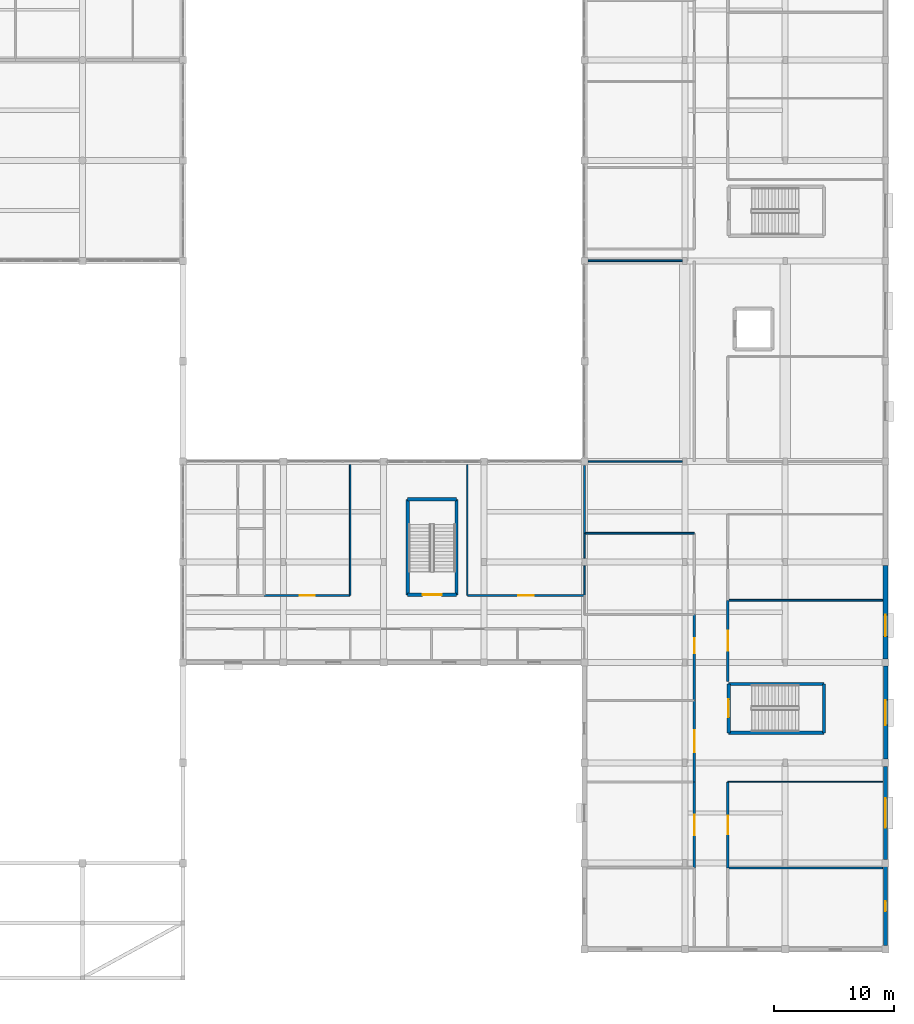
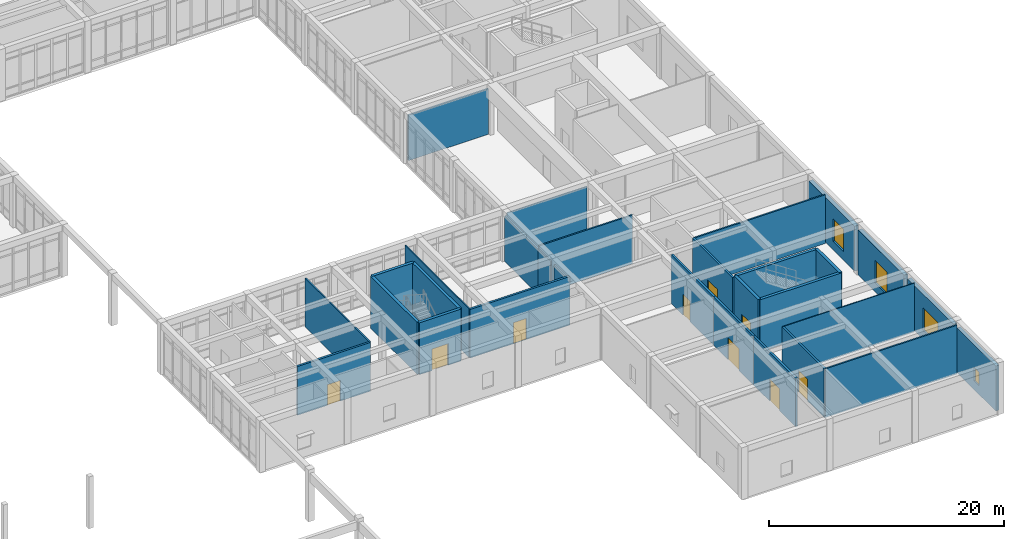
# One storey, part 65 of 89: 30 walls, 9 doors, 4 windows, 13 openings.
"""IFC4 building model written with IfcOpenShell, lengths in metres."""

import ifcopenshell
import ifcopenshell.guid

model = None  # the IFC model being written
_history = None  # IfcOwnerHistory: only IFC2X3 demands one
_inside = {}  # id of a spatial element -> (the spatial element, [elements in it])
_under = {}  # id of a project, library or spatial element -> (it, [spatial elements below it])
_declared = {}  # id of a project -> (the project, [libraries it declares])
_typed = {}  # id of a type object -> (the type object, [elements of that type])
_made_of = {}  # id of a material, layer set ... -> (it, [elements and type objects made of it])


def new_model(schema):
    """Start an empty IFC model of exactly this schema.

    Asked for "IFC4X3", IfcOpenShell would pick the latest addendum, in which some entities
    have other attributes; the version numbers below select the first issue.
    IFC2X3 requires an IfcOwnerHistory on every rooted entity: one is made here for all.
    """
    global model, _history
    if schema == "IFC4X3":
        model = ifcopenshell.file(schema_version=(4, 3, 0, 0))
    else:
        model = ifcopenshell.file(schema=schema)
    _inside.clear()
    _under.clear()
    _declared.clear()
    _typed.clear()
    _made_of.clear()
    _history = None
    if model.schema == "IFC2X3":
        org = make("IfcOrganization", Name="unknown")
        user = make(
            "IfcPersonAndOrganization",
            ThePerson=make("IfcPerson", FamilyName="unknown"),
            TheOrganization=org,
        )
        app = make(
            "IfcApplication",
            ApplicationDeveloper=org,
            Version="unknown",
            ApplicationFullName="unknown",
            ApplicationIdentifier="unknown",
        )
        _history = make(
            "IfcOwnerHistory",
            OwningUser=user,
            OwningApplication=app,
            ChangeAction="ADDED",
            CreationDate=0,
        )
    return model


def make(cls, **values):
    """One entity of the class cls with the attributes given. An attribute that is None is left unset."""
    return model.create_entity(
        cls, **{name: value for name, value in values.items() if value is not None}
    )


def rooted(cls, **values):
    """An entity with a GlobalId (a new one), such as an element, a storey or a relation."""
    return make(cls, GlobalId=ifcopenshell.guid.new(), OwnerHistory=_history, **values)


def si_unit(unit_type, name, prefix=None):
    """IfcSIUnit, for example si_unit("LENGTHUNIT", "METRE", prefix="MILLI")."""
    return make("IfcSIUnit", UnitType=unit_type, Prefix=prefix, Name=name)


def assignment(units):
    """IfcUnitAssignment: the units of a project."""
    return None if units is None else make("IfcUnitAssignment", Units=units)


def point(xyz):
    """IfcCartesianPoint."""
    return None if xyz is None else make("IfcCartesianPoint", Coordinates=xyz)


def direction(xyz):
    """IfcDirection."""
    return None if xyz is None else make("IfcDirection", DirectionRatios=xyz)


def frame(location, z_axis=None, x_axis=None):
    """IfcAxis2Placement3D, a coordinate frame: its origin and axes. An axis left out is left unset."""
    return make(
        "IfcAxis2Placement3D",
        Location=point(location),
        Axis=direction(z_axis),
        RefDirection=direction(x_axis),
    )


def frame_2d(location, x_axis=None):
    """IfcAxis2Placement2D, a coordinate frame in the plane: its origin and x axis."""
    return make(
        "IfcAxis2Placement2D", Location=point(location), RefDirection=direction(x_axis)
    )


def origin():
    """The frame at (0, 0, 0) with its axes left unset."""
    return frame((0.0, 0.0, 0.0))


def place(relative_to, where):
    """IfcLocalPlacement: puts the frame where relative to a parent placement (None: the world)."""
    return make(
        "IfcLocalPlacement", PlacementRelTo=relative_to, RelativePlacement=where
    )


def context(
    kind, dimensions, precision=None, world=None, true_north=None, identifier=None
):
    """IfcGeometricRepresentationContext, for example the 3D "Model" context."""
    return make(
        "IfcGeometricRepresentationContext",
        ContextIdentifier=identifier,
        ContextType=kind,
        CoordinateSpaceDimension=dimensions,
        Precision=precision,
        WorldCoordinateSystem=world,
        TrueNorth=true_north,
    )


def subcontext(parent, identifier, kind, view, scale=None):
    """IfcGeometricRepresentationSubContext, for example "Body" below "Model"."""
    return make(
        "IfcGeometricRepresentationSubContext",
        ContextIdentifier=identifier,
        ContextType=kind,
        ParentContext=parent,
        TargetScale=scale,
        TargetView=view,
    )


def project(units=None, contexts=None):
    """IfcProject with its units and contexts."""
    return rooted(
        "IfcProject",
        Name="project",
        RepresentationContexts=contexts,
        UnitsInContext=assignment(units),
    )


def spatial(cls, under=None, at=None, **own):
    """A site, building, storey or space (cls), placed at a placement, below another one or the project."""
    s = rooted(cls, ObjectPlacement=at, **own)
    if under is not None:
        _under.setdefault(under.id(), (under, []))[1].append(s)
    return s


def profile(cls, at=None, kind="AREA", **sizes):
    """A parametric profile (cls). Its sizes go by their IFC names, for example OverallWidth=200.0."""
    return make(cls, ProfileType=kind, Position=at, **sizes)


def rectangle(**sizes):
    """IfcRectangleProfileDef."""
    return profile("IfcRectangleProfileDef", **sizes)


def extrude(swept, where, along, depth):
    """IfcExtrudedAreaSolid: the profile swept, set in the frame where, extruded along a direction by depth."""
    return make(
        "IfcExtrudedAreaSolid",
        SweptArea=swept,
        Position=where,
        ExtrudedDirection=direction(along),
        Depth=depth,
    )


def shape(context_of_items, identifier, shape_type, items):
    """IfcShapeRepresentation: the items that make up one representation, for example the "Body"."""
    return make(
        "IfcShapeRepresentation",
        ContextOfItems=context_of_items,
        RepresentationIdentifier=identifier,
        RepresentationType=shape_type,
        Items=items,
    )


def material(Name=None, Category=None):
    """IfcMaterial."""
    return make("IfcMaterial", Name=Name, Category=Category)


def layer(
    of_material, thickness, ventilated=None, Name=None, Category=None, Priority=None
):
    """IfcMaterialLayer: one layer of a wall or slab, of a material (None: an air gap)."""
    return make(
        "IfcMaterialLayer",
        Material=of_material,
        LayerThickness=thickness,
        IsVentilated=ventilated,
        Name=Name,
        Category=Category,
        Priority=Priority,
    )


def layer_set(layers, Name=None):
    """IfcMaterialLayerSet."""
    return make("IfcMaterialLayerSet", MaterialLayers=layers, LayerSetName=Name)


def made_of(thing, what):
    """Note that an element or type object is made of a material, layer set ...; save() writes the relation."""
    if what is not None:
        _made_of.setdefault(what.id(), (what, []))[1].append(thing)
    return thing


def type_object(cls, material=None, **own):
    """A type object (cls), such as IfcWallType, which elements share."""
    return made_of(rooted(cls, **own), material)


def element(
    cls,
    number,
    at=None,
    inside=None,
    cuts=None,
    type_object=None,
    material=None,
    context=None,
    identifier="Body",
    shape_type=None,
    held_by="IfcProductDefinitionShape",
    body=None,
    shapes=None,
    **own,
):
    """One element of the class cls, such as IfcWall. Its Tag is "e" and its number.

    at: its placement. inside: the storey or other place that contains it. cuts: it is an
    opening in that element (IfcRelVoidsElement). A single representation is given by context,
    identifier, shape_type and body (its items); several are given by shapes. held_by: the class
    of the entity that holds the representations. save() writes the other relations.
    """
    e = rooted(cls, Tag="e%d" % number, ObjectPlacement=at, **own)
    if body is not None:
        shapes = [shape(context, identifier, shape_type, body)]
    if shapes is not None:
        e.Representation = make(held_by, Representations=shapes)
    if inside is not None:
        _inside.setdefault(inside.id(), (inside, []))[1].append(e)
    if cuts is not None:
        rooted(
            "IfcRelVoidsElement", RelatingBuildingElement=cuts, RelatedOpeningElement=e
        )
    if type_object is not None:
        _typed.setdefault(type_object.id(), (type_object, []))[1].append(e)
    return made_of(e, material)


def fill(opening, filler):
    """IfcRelFillsElement: the door or window that sits in an opening."""
    return rooted(
        "IfcRelFillsElement",
        RelatingOpeningElement=opening,
        RelatedBuildingElement=filler,
    )


def aggregate(whole, parts):
    """IfcRelAggregates: a whole, such as a stair, and the parts it consists of."""
    return rooted("IfcRelAggregates", RelatingObject=whole, RelatedObjects=parts)


def save(model, path):
    """Write the relations noted so far, then the file.

    IfcRelAggregates (storeys below a building ...), IfcRelContainedInSpatialStructure (elements
    in a storey), IfcRelDefinesByType, IfcRelAssociatesMaterial and IfcRelDeclares: one each for
    every whole, place, type object, material and project.
    """
    for whole, parts in _under.values():
        aggregate(whole, parts)
    for where, things in _inside.values():
        rooted(
            "IfcRelContainedInSpatialStructure",
            RelatedElements=things,
            RelatingStructure=where,
        )
    for kind, things in _typed.values():
        rooted("IfcRelDefinesByType", RelatedObjects=things, RelatingType=kind)
    for what, things in _made_of.values():
        rooted("IfcRelAssociatesMaterial", RelatedObjects=things, RelatingMaterial=what)
    for by, libraries in _declared.values():
        rooted("IfcRelDeclares", RelatingContext=by, RelatedDefinitions=libraries)
    model.write(path)


model = new_model("IFC4")

# Units and contexts
model_context = context("Model", 3, precision=1e-05, world=origin(), true_north=direction((0.0, 1.0)))
body_context = subcontext(model_context, "Body", "Model", "MODEL_VIEW")
ifc_project = project(units=[si_unit("LENGTHUNIT", "METRE"), si_unit("AREAUNIT", "SQUARE_METRE"), si_unit("VOLUMEUNIT", "CUBIC_METRE"), si_unit("PLANEANGLEUNIT", "RADIAN"), si_unit("MASSUNIT", "GRAM", prefix="KILO")], contexts=[model_context])

# Site, building, storey
site_placement = place(None, origin())
site = spatial("IfcSite", under=ifc_project, at=site_placement, CompositionType="ELEMENT")
building_placement = place(site_placement, origin())
building = spatial("IfcBuilding", under=site, at=building_placement, Name="Varncliffe General Hospital", CompositionType="ELEMENT")
storey_placement = place(building_placement, frame((0.0, 0.0, 10.800048828125)))
storey = spatial("IfcBuildingStorey", under=building, at=storey_placement, Name="L02", CompositionType="ELEMENT", Elevation=10.800048828125)

# Wall, opening, window
ifc_material_1 = material(Name="Precast concrete C40/50 with insulated cream lime-cement stucco", Category="concrete")
ifc_layer_1 = layer(ifc_material_1, 0.3798828125)
ifc_layer_set_1 = layer_set([ifc_layer_1], Name="Precast concrete C40/50 with insulated cream lime-cement stucco")
wall_type_1 = type_object("IfcWallType", Name="Exterior Insulated Stucco Wall EW26 (380mm)", PredefinedType="SOLIDWALL", material=ifc_layer_set_1)
wall_1_placement = place(storey_placement, frame((176.39990234375, 23.701904296875, 0.0), z_axis=(0.0, 0.0, 1.0), x_axis=(0.0, -1.0, 0.0)))
wall_1 = element("IfcWall", 1, at=wall_1_placement, inside=storey, type_object=wall_type_1, Name="L02 Exterior Stucco Wall EW26-208", PredefinedType="SOLIDWALL", context=body_context, shape_type="SweptSolid", body=[
    extrude(rectangle(XDim=7.803955078125, YDim=0.3798828125, at=frame_2d((3.90185546875, 0.0))), origin(), (0.0, 0.0, 1.0), 4.679931640625),
])
opening_1_placement = place(wall_1_placement, frame((2.85205078125, 0.0, 0.89990234375)))
opening_1 = element("IfcOpeningElement", 2, at=opening_1_placement, cuts=wall_1, Name="Opening WN50", PredefinedType="OPENING", context=body_context, shape_type="SweptSolid", body=[
    extrude(rectangle(XDim=2.10009765625, YDim=2.35009765625, at=frame_2d((1.050048828125, 1.175048828125))), frame((0.0, 0.199951171875, 0.0), z_axis=(0.0, -1.0, 0.0), x_axis=(1.0, 0.0, 0.0)), (0.0, 0.0, 1.0), 0.39990234375),
])
ifc_material_2 = material(Name="Triple low-E argon insulated vision glazing", Category="glass")
window_type_1 = type_object("IfcWindowType", Name="Triple-Glazed Hospital Window WN50 (2100x2350)", PartitioningType="DOUBLE_PANEL_VERTICAL", PredefinedType="WINDOW", material=ifc_material_2)
window_1_placement = place(opening_1_placement, origin())
window_1 = element("IfcWindow", 3, at=window_1_placement, inside=storey, type_object=window_type_1, Name="L02 Hospital Window WN50-131", OverallHeight=2.35009765625, OverallWidth=2.10009765625, PartitioningType="DOUBLE_PANEL_VERTICAL", PredefinedType="WINDOW", context=body_context, shape_type="SweptSolid", body=[
    extrude(rectangle(XDim=2.10009765625, YDim=2.35009765625, at=frame_2d((1.050048828125, 1.175048828125))), frame((0.0, 0.030029296875, 0.0), z_axis=(0.0, -1.0, 0.0), x_axis=(1.0, 0.0, 0.0)), (0.0, 0.0, 1.0), 0.06005859375),
])
fill(opening_1, window_1)

ifc_layer_2 = layer(ifc_material_1, 0.330078125)
ifc_layer_set_2 = layer_set([ifc_layer_2], Name="Precast concrete C40/50 with insulated cream lime-cement stucco")
wall_type_2 = type_object("IfcWallType", Name="Exterior Insulated Stucco Wall EW33 (330mm)", PredefinedType="SOLIDWALL", material=ifc_layer_set_2)
wall_2_placement = place(storey_placement, frame((176.39990234375, 6.902099609375, 0.0), z_axis=(0.0, 0.0, 1.0), x_axis=(0.0, -1.0, 0.0)))
wall_2 = element("IfcWall", 4, at=wall_2_placement, inside=storey, type_object=wall_type_2, Name="L02 Exterior Stucco Wall EW33-210", PredefinedType="SOLIDWALL", context=body_context, shape_type="SweptSolid", body=[
    extrude(rectangle(XDim=6.60400390625, YDim=0.330078125, at=frame_2d((3.302001953125, 0.0))), origin(), (0.0, 0.0, 1.0), 4.679931640625),
])
opening_2_placement = place(wall_2_placement, frame((2.876953125, 0.0, 0.89990234375)))
opening_2 = element("IfcOpeningElement", 5, at=opening_2_placement, cuts=wall_2, Name="Opening WN77", PredefinedType="OPENING", context=body_context, shape_type="SweptSolid", body=[
    extrude(rectangle(XDim=0.85009765625, YDim=1.39990234375, at=frame_2d((0.425048828125, 0.699951171875))), frame((0.0, 0.175048828125, 0.0), z_axis=(0.0, -1.0, 0.0), x_axis=(1.0, 0.0, 0.0)), (0.0, 0.0, 1.0), 0.35009765625),
])
window_type_2 = type_object("IfcWindowType", Name="Triple-Glazed Hospital Window WN77 (850x1400)", PartitioningType="SINGLE_PANEL", PredefinedType="WINDOW", material=ifc_material_2)
window_2_placement = place(opening_2_placement, origin())
window_2 = element("IfcWindow", 6, at=window_2_placement, inside=storey, type_object=window_type_2, Name="L02 Hospital Window WN77-133", OverallHeight=1.39990234375, OverallWidth=0.85009765625, PartitioningType="SINGLE_PANEL", PredefinedType="WINDOW", context=body_context, shape_type="SweptSolid", body=[
    extrude(rectangle(XDim=0.85009765625, YDim=1.39990234375, at=frame_2d((0.425048828125, 0.699951171875))), frame((0.0, 0.030029296875, 0.0), z_axis=(0.0, -1.0, 0.0), x_axis=(1.0, 0.0, 0.0)), (0.0, 0.0, 1.0), 0.06005859375),
])
fill(opening_2, window_2)

ifc_layer_3 = layer(ifc_material_1, 0.35009765625)
ifc_layer_set_3 = layer_set([ifc_layer_3], Name="Precast concrete C40/50 with insulated cream lime-cement stucco")
wall_type_3 = type_object("IfcWallType", Name="Exterior Insulated Stucco Wall EW37 (350mm)", PredefinedType="SOLIDWALL", material=ifc_layer_set_3)
wall_3_placement = place(storey_placement, frame((176.39990234375, 15.302001953125, 0.0), z_axis=(0.0, 0.0, 1.0), x_axis=(0.0, -1.0, 0.0)))
wall_3 = element("IfcWall", 7, at=wall_3_placement, inside=storey, type_object=wall_type_3, Name="L02 Exterior Stucco Wall EW37-209", PredefinedType="SOLIDWALL", context=body_context, shape_type="SweptSolid", body=[
    extrude(rectangle(XDim=7.803955078125, YDim=0.35009765625, at=frame_2d((3.90185546875, 0.0))), origin(), (0.0, 0.0, 1.0), 4.679931640625),
])
opening_3_placement = place(wall_3_placement, frame((2.652099609375, 0.0, 0.89990234375)))
opening_3 = element("IfcOpeningElement", 8, at=opening_3_placement, cuts=wall_3, Name="Opening WN80", PredefinedType="OPENING", context=body_context, shape_type="SweptSolid", body=[
    extrude(rectangle(XDim=2.5, YDim=2.35009765625, at=frame_2d((1.25, 1.175048828125))), frame((0.0, 0.18505859375, 0.0), z_axis=(0.0, -1.0, 0.0), x_axis=(1.0, 0.0, 0.0)), (0.0, 0.0, 1.0), 0.3701171875),
])
window_type_3 = type_object("IfcWindowType", Name="Triple-Glazed Hospital Window WN80 (2500x2350)", PartitioningType="DOUBLE_PANEL_VERTICAL", PredefinedType="WINDOW", material=ifc_material_2)
window_3_placement = place(opening_3_placement, origin())
window_3 = element("IfcWindow", 9, at=window_3_placement, inside=storey, type_object=window_type_3, Name="L02 Hospital Window WN80-132", OverallHeight=2.35009765625, OverallWidth=2.5, PartitioningType="DOUBLE_PANEL_VERTICAL", PredefinedType="WINDOW", context=body_context, shape_type="SweptSolid", body=[
    extrude(rectangle(XDim=2.5, YDim=2.35009765625, at=frame_2d((1.25, 1.175048828125))), frame((0.0, 0.030029296875, 0.0), z_axis=(0.0, -1.0, 0.0), x_axis=(1.0, 0.0, 0.0)), (0.0, 0.0, 1.0), 0.06005859375),
])
fill(opening_3, window_3)

ifc_layer_4 = layer(ifc_material_1, 0.39990234375)
ifc_layer_set_4 = layer_set([ifc_layer_4], Name="Precast concrete C40/50 with insulated cream lime-cement stucco")
wall_type_4 = type_object("IfcWallType", Name="Exterior Insulated Stucco Wall EW47 (400mm)", PredefinedType="SOLIDWALL", material=ifc_layer_set_4)
wall_4_placement = place(storey_placement, frame((176.39990234375, 32.10205078125, 0.0), z_axis=(0.0, 0.0, 1.0), x_axis=(0.0, -1.0, 0.0)))
wall_4 = element("IfcWall", 10, at=wall_4_placement, inside=storey, type_object=wall_type_4, Name="L02 Exterior Stucco Wall EW47-207", PredefinedType="SOLIDWALL", context=body_context, shape_type="SweptSolid", body=[
    extrude(rectangle(XDim=7.803955078125, YDim=0.39990234375, at=frame_2d((3.90185546875, 0.0))), origin(), (0.0, 0.0, 1.0), 4.679931640625),
])
opening_4_placement = place(wall_4_placement, frame((4.125, 0.0, 0.89990234375)))
opening_4 = element("IfcOpeningElement", 11, at=opening_4_placement, cuts=wall_4, Name="Opening WN12", PredefinedType="OPENING", context=body_context, shape_type="SweptSolid", body=[
    extrude(rectangle(XDim=1.800048828125, YDim=2.35009765625, at=frame_2d((0.89990234375, 1.175048828125))), frame((0.0, 0.2099609375, 0.0), z_axis=(0.0, -1.0, 0.0), x_axis=(1.0, 0.0, 0.0)), (0.0, 0.0, 1.0), 0.419921875),
])
window_type_4 = type_object("IfcWindowType", Name="Triple-Glazed Hospital Window WN12 (1800x2350)", PartitioningType="DOUBLE_PANEL_VERTICAL", PredefinedType="WINDOW", material=ifc_material_2)
window_4_placement = place(opening_4_placement, origin())
window_4 = element("IfcWindow", 12, at=window_4_placement, inside=storey, type_object=window_type_4, Name="L02 Hospital Window WN12-130", OverallHeight=2.35009765625, OverallWidth=1.800048828125, PartitioningType="DOUBLE_PANEL_VERTICAL", PredefinedType="WINDOW", context=body_context, shape_type="SweptSolid", body=[
    extrude(rectangle(XDim=1.800048828125, YDim=2.35009765625, at=frame_2d((0.89990234375, 1.175048828125))), frame((0.0, 0.030029296875, 0.0), z_axis=(0.0, -1.0, 0.0), x_axis=(1.0, 0.0, 0.0)), (0.0, 0.0, 1.0), 0.06005859375),
])
fill(opening_4, window_4)

# Walls
ifc_material_3 = material(Name="Acoustic clinical gypsum stud partition assembly", Category="gypsum")
ifc_layer_5 = layer(ifc_material_3, 0.1298828125)
ifc_layer_set_5 = layer_set([ifc_layer_5], Name="Acoustic clinical gypsum stud partition assembly")
wall_type_5 = type_object("IfcWallType", Name="Interior Partitioning IW11 (130mm)", PredefinedType="PARTITIONING", material=ifc_layer_set_5)
wall_5_placement = place(storey_placement, frame((131.60009765625, 29.60009765625, 0.0), z_axis=(0.0, 0.0, 1.0), x_axis=(0.0, 1.0, 0.0)))
element("IfcWall", 13, at=wall_5_placement, inside=storey, type_object=wall_type_5, Name="L02 Interior Partition Wall IW11-1248", PredefinedType="PARTITIONING", context=body_context, shape_type="SweptSolid", body=[
    extrude(rectangle(XDim=10.93994140625, YDim=0.1298828125, at=frame_2d((5.469970703125, 0.0))), origin(), (0.0, 0.0, 1.0), 5.070068359375),
])
wall_6_placement = place(storey_placement, frame((151.199951171875, 29.60009765625, 0.0), z_axis=(0.0, 0.0, 1.0), x_axis=(0.0, 1.0, 0.0)))
element("IfcWall", 14, at=wall_6_placement, inside=storey, type_object=wall_type_5, Name="L02 Interior Partition Wall IW11-1273", PredefinedType="PARTITIONING", context=body_context, shape_type="SweptSolid", body=[
    extrude(rectangle(XDim=2.48486328125, YDim=0.1298828125, at=frame_2d((1.242431640625, 0.0))), origin(), (0.0, 0.0, 1.0), 4.73486328125),
])
wall_7_placement = place(storey_placement, frame((151.199951171875, 32.715087890625, 0.0), z_axis=(0.0, 0.0, 1.0), x_axis=(0.0, 1.0, 0.0)))
element("IfcWall", 15, at=wall_7_placement, inside=storey, type_object=wall_type_5, Name="L02 Interior Partition Wall IW11-1274", PredefinedType="PARTITIONING", context=body_context, shape_type="SweptSolid", body=[
    extrude(rectangle(XDim=2.0849609375, YDim=0.1298828125, at=frame_2d((1.04248046875, 0.0))), origin(), (0.0, 0.0, 1.0), 4.73486328125),
])
ifc_layer_6 = layer(ifc_material_3, 0.169921875)
ifc_layer_set_6 = layer_set([ifc_layer_6], Name="Acoustic clinical gypsum stud partition assembly")
wall_type_6 = type_object("IfcWallType", Name="Interior Partitioning IW20 (170mm)", PredefinedType="PARTITIONING", material=ifc_layer_set_6)
wall_8_placement = place(storey_placement, frame((151.199951171875, 34.800048828125, 0.0), z_axis=(0.0, 0.0, 1.0), x_axis=(0.0, 1.0, 0.0)))
element("IfcWall", 16, at=wall_8_placement, inside=storey, type_object=wall_type_6, Name="L02 Interior Partition Wall IW20-1275", PredefinedType="PARTITIONING", context=body_context, shape_type="SweptSolid", body=[
    extrude(rectangle(XDim=5.68505859375, YDim=0.169921875, at=frame_2d((2.842529296875, 0.0))), origin(), (0.0, 0.0, 1.0), 4.73486328125),
])
ifc_layer_7 = layer(ifc_material_3, 0.14990234375)
ifc_layer_set_7 = layer_set([ifc_layer_7], Name="Acoustic clinical gypsum stud partition assembly")
wall_type_7 = type_object("IfcWallType", Name="Interior Partitioning IW35 (150mm)", PredefinedType="PARTITIONING", material=ifc_layer_set_7)
for number, where, z_axis, x_axis, name in (
    (17, (163.199951171875, 6.800048828125, 0.0), (0.0, 0.0, 1.0), (1.0, 0.0, 0.0), "L02 Interior Partition Wall IW35-894"),
    (18, (163.199951171875, 29.199951171875, 0.0), (0.0, 0.0, 1.0), (1.0, 0.0, 0.0), "L02 Interior Partition Wall IW35-904"),
):
    element("IfcWall", number, at=place(storey_placement, frame(where, z_axis=z_axis, x_axis=x_axis)), inside=storey, type_object=wall_type_7, Name=name, PredefinedType="PARTITIONING", context=body_context, shape_type="SweptSolid", body=[
        extrude(rectangle(XDim=12.93994140625, YDim=0.14990234375, at=frame_2d((6.469970703125, 0.0))), origin(), (0.0, 0.0, 1.0), 5.070068359375),
    ])
wall_9_placement = place(storey_placement, frame((151.199951171875, 34.800048828125, 0.0), z_axis=(0.0, 0.0, 1.0), x_axis=(1.0, 0.0, 0.0)))
element("IfcWall", 19, at=wall_9_placement, inside=storey, type_object=wall_type_7, Name="L02 Interior Partition Wall IW35-909", PredefinedType="PARTITIONING", context=body_context, shape_type="SweptSolid", body=[
    extrude(rectangle(XDim=9.199951171875, YDim=0.14990234375, at=frame_2d((4.60009765625, 0.0))), origin(), (0.0, 0.0, 1.0), 5.070068359375),
])
wall_10_placement = place(storey_placement, frame((151.514892578125, 57.60009765625, 0.0), z_axis=(0.0, 0.0, 1.0), x_axis=(1.0, 0.0, 0.0)))
element("IfcWall", 20, at=wall_10_placement, inside=storey, type_object=wall_type_7, Name="L02 Interior Partition Wall IW35-919", PredefinedType="PARTITIONING", context=body_context, shape_type="SweptSolid", body=[
    extrude(rectangle(XDim=7.8701171875, YDim=0.14990234375, at=frame_2d((3.93505859375, 0.0))), origin(), (0.0, 0.0, 1.0), 4.73486328125),
])
ifc_layer_8 = layer(ifc_material_3, 0.090087890625)
ifc_layer_set_8 = layer_set([ifc_layer_8], Name="Acoustic clinical gypsum stud partition assembly")
wall_type_8 = type_object("IfcWallType", Name="Interior Partitioning IW42 (90mm)", PredefinedType="PARTITIONING", material=ifc_layer_set_8)
wall_11_placement = place(storey_placement, frame((163.199951171875, 14.0, 0.0), z_axis=(0.0, 0.0, 1.0), x_axis=(1.0, 0.0, 0.0)))
element("IfcWall", 21, at=wall_11_placement, inside=storey, type_object=wall_type_8, Name="L02 Interior Partition Wall IW42-896", PredefinedType="PARTITIONING", context=body_context, shape_type="SweptSolid", body=[
    extrude(rectangle(XDim=12.93994140625, YDim=0.090087890625, at=frame_2d((6.469970703125, 0.0))), origin(), (0.0, 0.0, 1.0), 5.070068359375),
])
ifc_layer_9 = layer(ifc_material_3, 0.110107421875)
ifc_layer_set_9 = layer_set([ifc_layer_9], Name="Acoustic clinical gypsum stud partition assembly")
wall_type_9 = type_object("IfcWallType", Name="Interior Partitioning IW65 (110mm)", PredefinedType="PARTITIONING", material=ifc_layer_set_9)
wall_12_placement = place(storey_placement, frame((151.514892578125, 40.800048828125, 0.0), z_axis=(0.0, 0.0, 1.0), x_axis=(1.0, 0.0, 0.0)))
element("IfcWall", 22, at=wall_12_placement, inside=storey, type_object=wall_type_9, Name="L02 Interior Partition Wall IW65-912", PredefinedType="PARTITIONING", context=body_context, shape_type="SweptSolid", body=[
    extrude(rectangle(XDim=7.8701171875, YDim=0.110107421875, at=frame_2d((3.93505859375, 0.0))), origin(), (0.0, 0.0, 1.0), 4.73486328125),
])
wall_13_placement = place(storey_placement, frame((141.39990234375, 29.60009765625, 0.0), z_axis=(0.0, 0.0, 1.0), x_axis=(0.0, 1.0, 0.0)))
element("IfcWall", 23, at=wall_13_placement, inside=storey, type_object=wall_type_9, Name="L02 Interior Partition Wall IW65-1257", PredefinedType="PARTITIONING", context=body_context, shape_type="SweptSolid", body=[
    extrude(rectangle(XDim=10.93994140625, YDim=0.110107421875, at=frame_2d((5.469970703125, 0.0))), origin(), (0.0, 0.0, 1.0), 5.070068359375),
])

# Wall, opening, door
ifc_material_4 = material(Name="Fire-rated gypsum and mineral-wool partition assembly", Category="gypsum")
ifc_layer_10 = layer(ifc_material_4, 0.199951171875)
ifc_layer_set_10 = layer_set([ifc_layer_10], Name="Fire-rated gypsum and mineral-wool partition assembly")
wall_type_10 = type_object("IfcWallType", Name="Interior Partitioning PW63 (200mm)", PredefinedType="PARTITIONING", material=ifc_layer_set_10)
wall_14_placement = place(storey_placement, frame((124.39990234375, 29.60009765625, 0.0), z_axis=(0.0, 0.0, 1.0), x_axis=(1.0, 0.0, 0.0)))
wall_14 = element("IfcWall", 24, at=wall_14_placement, inside=storey, type_object=wall_type_10, Name="L02 Interior Partition Wall PW63-907", PredefinedType="PARTITIONING", context=body_context, shape_type="SweptSolid", body=[
    extrude(rectangle(XDim=7.2001953125, YDim=0.199951171875, at=frame_2d((3.60009765625, 0.0))), origin(), (0.0, 0.0, 1.0), 5.070068359375),
])
opening_5_placement = place(wall_14_placement, frame((2.97509765625, 0.0, 0.0)))
opening_5 = element("IfcOpeningElement", 25, at=opening_5_placement, cuts=wall_14, Name="Opening DC44", PredefinedType="OPENING", context=body_context, shape_type="SweptSolid", body=[
    extrude(rectangle(XDim=1.25, YDim=2.14990234375, at=frame_2d((0.625, 1.074951171875))), frame((0.0, 0.10986328125, 0.0), z_axis=(0.0, -1.0, 0.0), x_axis=(1.0, 0.0, 0.0)), (0.0, 0.0, 1.0), 0.219970703125),
])
ifc_material_5 = material(Name="Fire-rated hospital steel-frame vision-panel door", Category="steel")
door_type_1 = type_object("IfcDoorType", Name="Interior Hospital Door DC44 (1250x2150)", OperationType="NOTDEFINED", PredefinedType="DOOR", material=ifc_material_5)
door_1_placement = place(opening_5_placement, origin())
door_1 = element("IfcDoor", 26, at=door_1_placement, inside=storey, type_object=door_type_1, Name="L02 Gastroenterology Endoscopy Clinic 102 Door", OperationType="SINGLE_SWING_LEFT", OverallHeight=2.14990234375, OverallWidth=1.25, PredefinedType="DOOR", context=body_context, shape_type="SweptSolid", body=[
    extrude(rectangle(XDim=1.25, YDim=2.14990234375, at=frame_2d((0.625, 1.074951171875))), frame((0.0, 0.02490234375, 0.0), z_axis=(0.0, -1.0, 0.0), x_axis=(1.0, 0.0, 0.0)), (0.0, 0.0, 1.0), 0.050048828125),
])
fill(opening_5, door_1)

wall_15_placement = place(storey_placement, frame((141.39990234375, 29.60009765625, 0.0), z_axis=(0.0, 0.0, 1.0), x_axis=(1.0, 0.0, 0.0)))
wall_15 = element("IfcWall", 27, at=wall_15_placement, inside=storey, type_object=wall_type_10, Name="L02 Interior Partition Wall PW63-908", PredefinedType="PARTITIONING", context=body_context, shape_type="SweptSolid", body=[
    extrude(rectangle(XDim=9.800048828125, YDim=0.199951171875, at=frame_2d((4.89990234375, 0.0))), origin(), (0.0, 0.0, 1.0), 5.070068359375),
])
opening_6_placement = place(wall_15_placement, frame((4.25, 0.0, 0.0)))
opening_6 = element("IfcOpeningElement", 28, at=opening_6_placement, cuts=wall_15, Name="Opening DC88", PredefinedType="OPENING", context=body_context, shape_type="SweptSolid", body=[
    extrude(rectangle(XDim=1.300048828125, YDim=2.199951171875, at=frame_2d((0.64990234375, 1.10009765625))), frame((0.0, 0.10986328125, 0.0), z_axis=(0.0, -1.0, 0.0), x_axis=(1.0, 0.0, 0.0)), (0.0, 0.0, 1.0), 0.219970703125),
])
door_type_2 = type_object("IfcDoorType", Name="Interior Hospital Door DC88 (1300x2200)", OperationType="NOTDEFINED", PredefinedType="DOOR", material=ifc_material_5)
door_2_placement = place(opening_6_placement, origin())
door_2 = element("IfcDoor", 29, at=door_2_placement, inside=storey, type_object=door_type_2, Name="L02 Gastroenterology Endoscopy Clinic 103 Door", OperationType="SINGLE_SWING_RIGHT", OverallHeight=2.199951171875, OverallWidth=1.300048828125, PredefinedType="DOOR", context=body_context, shape_type="SweptSolid", body=[
    extrude(rectangle(XDim=1.300048828125, YDim=2.199951171875, at=frame_2d((0.64990234375, 1.10009765625))), frame((0.0, 0.02490234375, 0.0), z_axis=(0.0, -1.0, 0.0), x_axis=(1.0, 0.0, 0.0)), (0.0, 0.0, 1.0), 0.050048828125),
])
fill(opening_6, door_2)

wall_16_placement = place(storey_placement, frame((160.39990234375, 6.800048828125, 0.0), z_axis=(0.0, 0.0, 1.0), x_axis=(0.0, 1.0, 0.0)))
wall_16 = element("IfcWall", 30, at=wall_16_placement, inside=storey, type_object=wall_type_10, Name="L02 Interior Partition Wall PW63-1291", PredefinedType="PARTITIONING", context=body_context, shape_type="SweptSolid", body=[
    extrude(rectangle(XDim=7.199951171875, YDim=0.199951171875, at=frame_2d((3.60009765625, 0.0))), origin(), (0.0, 0.0, 1.0), 5.070068359375),
])
opening_7_placement = place(wall_16_placement, frame((2.75, 0.0, 0.0)))
opening_7 = element("IfcOpeningElement", 31, at=opening_7_placement, cuts=wall_16, Name="Opening DC50", PredefinedType="OPENING", context=body_context, shape_type="SweptSolid", body=[
    extrude(rectangle(XDim=1.699951171875, YDim=2.300048828125, at=frame_2d((0.85009765625, 1.14990234375))), frame((0.0, 0.10986328125, 0.0), z_axis=(0.0, -1.0, 0.0), x_axis=(1.0, 0.0, 0.0)), (0.0, 0.0, 1.0), 0.219970703125),
])
door_type_3 = type_object("IfcDoorType", Name="Interior Hospital Door DC50 (1700x2300)", OperationType="NOTDEFINED", PredefinedType="DOOR", material=ifc_material_5)
door_3_placement = place(opening_7_placement, origin())
door_3 = element("IfcDoor", 32, at=door_3_placement, inside=storey, type_object=door_type_3, Name="L02 Gastroenterology Endoscopy Clinic 84 Door", OperationType="SINGLE_SWING_RIGHT", OverallHeight=2.300048828125, OverallWidth=1.699951171875, PredefinedType="DOOR", context=body_context, shape_type="SweptSolid", body=[
    extrude(rectangle(XDim=1.699951171875, YDim=2.300048828125, at=frame_2d((0.85009765625, 1.14990234375))), frame((0.0, 0.02490234375, 0.0), z_axis=(0.0, -1.0, 0.0), x_axis=(1.0, 0.0, 0.0)), (0.0, 0.0, 1.0), 0.050048828125),
])
fill(opening_7, door_3)

wall_17_placement = place(storey_placement, frame((160.39990234375, 14.0, 0.0), z_axis=(0.0, 0.0, 1.0), x_axis=(0.0, 1.0, 0.0)))
wall_17 = element("IfcWall", 33, at=wall_17_placement, inside=storey, type_object=wall_type_10, Name="L02 Interior Partition Wall PW63-1292", PredefinedType="PARTITIONING", context=body_context, shape_type="SweptSolid", body=[
    extrude(rectangle(XDim=6.800048828125, YDim=0.199951171875, at=frame_2d((3.39990234375, 0.0))), origin(), (0.0, 0.0, 1.0), 5.070068359375),
])
opening_8_placement = place(wall_17_placement, frame((2.47509765625, 0.0, 0.0)))
opening_8 = element("IfcOpeningElement", 34, at=opening_8_placement, cuts=wall_17, Name="Opening DC38", PredefinedType="OPENING", context=body_context, shape_type="SweptSolid", body=[
    extrude(rectangle(XDim=1.85009765625, YDim=2.300048828125, at=frame_2d((0.925048828125, 1.14990234375))), frame((0.0, 0.10986328125, 0.0), z_axis=(0.0, -1.0, 0.0), x_axis=(1.0, 0.0, 0.0)), (0.0, 0.0, 1.0), 0.219970703125),
])
door_type_4 = type_object("IfcDoorType", Name="Interior Hospital Door DC38 (1850x2300)", OperationType="NOTDEFINED", PredefinedType="DOOR", material=ifc_material_5)
door_4_placement = place(opening_8_placement, origin())
door_4 = element("IfcDoor", 35, at=door_4_placement, inside=storey, type_object=door_type_4, Name="L02 Day Surgery Preparation and Recovery Bay 85 Door", OperationType="SINGLE_SWING_LEFT", OverallHeight=2.300048828125, OverallWidth=1.85009765625, PredefinedType="DOOR", context=body_context, shape_type="SweptSolid", body=[
    extrude(rectangle(XDim=1.85009765625, YDim=2.300048828125, at=frame_2d((0.925048828125, 1.14990234375))), frame((0.0, 0.02490234375, 0.0), z_axis=(0.0, -1.0, 0.0), x_axis=(1.0, 0.0, 0.0)), (0.0, 0.0, 1.0), 0.050048828125),
])
fill(opening_8, door_4)

wall_18_placement = place(storey_placement, frame((160.39990234375, 20.800048828125, 0.0), z_axis=(0.0, 0.0, 1.0), x_axis=(0.0, 1.0, 0.0)))
wall_18 = element("IfcWall", 36, at=wall_18_placement, inside=storey, type_object=wall_type_10, Name="L02 Interior Partition Wall PW63-1293", PredefinedType="PARTITIONING", context=body_context, shape_type="SweptSolid", body=[
    extrude(rectangle(XDim=7.199951171875, YDim=0.199951171875, at=frame_2d((3.60009765625, 0.0))), origin(), (0.0, 0.0, 1.0), 5.070068359375),
])
opening_9_placement = place(wall_18_placement, frame((3.959716796875, 0.0, 0.0)))
opening_9 = element("IfcOpeningElement", 37, at=opening_9_placement, cuts=wall_18, Name="Opening DC44", PredefinedType="OPENING", context=body_context, shape_type="SweptSolid", body=[
    extrude(rectangle(XDim=1.25, YDim=2.14990234375, at=frame_2d((0.625, 1.074951171875))), frame((0.0, 0.10986328125, 0.0), z_axis=(0.0, -1.0, 0.0), x_axis=(1.0, 0.0, 0.0)), (0.0, 0.0, 1.0), 0.219970703125),
])
door_5_placement = place(opening_9_placement, origin())
door_5 = element("IfcDoor", 38, at=door_5_placement, inside=storey, type_object=door_type_1, Name="L02 Gastroenterology Endoscopy Clinic 86 Door", OperationType="SINGLE_SWING_RIGHT", OverallHeight=2.14990234375, OverallWidth=1.25, PredefinedType="DOOR", context=body_context, shape_type="SweptSolid", body=[
    extrude(rectangle(XDim=1.25, YDim=2.14990234375, at=frame_2d((0.625, 1.074951171875))), frame((0.0, 0.02490234375, 0.0), z_axis=(0.0, -1.0, 0.0), x_axis=(1.0, 0.0, 0.0)), (0.0, 0.0, 1.0), 0.050048828125),
])
fill(opening_9, door_5)

wall_19_placement = place(storey_placement, frame((163.199951171875, 6.800048828125, 0.0), z_axis=(0.0, 0.0, 1.0), x_axis=(0.0, 1.0, 0.0)))
wall_19 = element("IfcWall", 39, at=wall_19_placement, inside=storey, type_object=wall_type_10, Name="L02 Interior Partition Wall PW63-1304", PredefinedType="PARTITIONING", context=body_context, shape_type="SweptSolid", body=[
    extrude(rectangle(XDim=7.199951171875, YDim=0.199951171875, at=frame_2d((3.60009765625, 0.0))), origin(), (0.0, 0.0, 1.0), 5.070068359375),
])
opening_10_placement = place(wall_19_placement, frame((2.824951171875, 0.0, 0.0)))
opening_10 = element("IfcOpeningElement", 40, at=opening_10_placement, cuts=wall_19, Name="Opening DC67", PredefinedType="OPENING", context=body_context, shape_type="SweptSolid", body=[
    extrude(rectangle(XDim=1.550048828125, YDim=2.25, at=frame_2d((0.77490234375, 1.125))), frame((0.0, 0.10986328125, 0.0), z_axis=(0.0, -1.0, 0.0), x_axis=(1.0, 0.0, 0.0)), (0.0, 0.0, 1.0), 0.219970703125),
])
door_type_5 = type_object("IfcDoorType", Name="Interior Hospital Door DC67 (1550x2250)", OperationType="NOTDEFINED", PredefinedType="DOOR", material=ifc_material_5)
door_6_placement = place(opening_10_placement, frame((1.550048828125, 0.0, 0.0), z_axis=(0.0, 0.0, 1.0), x_axis=(-1.0, 0.0, 0.0)))
door_6 = element("IfcDoor", 41, at=door_6_placement, inside=storey, type_object=door_type_5, Name="L02 Gastroenterology Endoscopy Clinic 93 Door", OperationType="SINGLE_SWING_LEFT", OverallHeight=2.25, OverallWidth=1.550048828125, PredefinedType="DOOR", context=body_context, shape_type="SweptSolid", body=[
    extrude(rectangle(XDim=1.550048828125, YDim=2.25, at=frame_2d((0.77490234375, 1.125))), frame((0.0, 0.02490234375, 0.0), z_axis=(0.0, -1.0, 0.0), x_axis=(1.0, 0.0, 0.0)), (0.0, 0.0, 1.0), 0.050048828125),
])
fill(opening_10, door_6)

wall_20_placement = place(storey_placement, frame((163.199951171875, 22.422119140625, 0.0), z_axis=(0.0, 0.0, 1.0), x_axis=(0.0, 1.0, 0.0)))
wall_20 = element("IfcWall", 42, at=wall_20_placement, inside=storey, type_object=wall_type_10, Name="L02 Interior Partition Wall PW63-1305", PredefinedType="PARTITIONING", context=body_context, shape_type="SweptSolid", body=[
    extrude(rectangle(XDim=6.77783203125, YDim=0.199951171875, at=frame_2d((3.388916015625, 0.0))), origin(), (0.0, 0.0, 1.0), 5.070068359375),
])
opening_11_placement = place(wall_20_placement, frame((2.5390625, 0.0, 0.0)))
opening_11 = element("IfcOpeningElement", 43, at=opening_11_placement, cuts=wall_20, Name="Opening DC50", PredefinedType="OPENING", context=body_context, shape_type="SweptSolid", body=[
    extrude(rectangle(XDim=1.699951171875, YDim=2.300048828125, at=frame_2d((0.85009765625, 1.14990234375))), frame((0.0, 0.10986328125, 0.0), z_axis=(0.0, -1.0, 0.0), x_axis=(1.0, 0.0, 0.0)), (0.0, 0.0, 1.0), 0.219970703125),
])
door_7_placement = place(opening_11_placement, frame((1.699951171875, 0.0, 0.0), z_axis=(0.0, 0.0, 1.0), x_axis=(-1.0, 0.0, 0.0)))
door_7 = element("IfcDoor", 44, at=door_7_placement, inside=storey, type_object=door_type_3, Name="L02 Day Surgery Preparation and Recovery Bay 94 Door", OperationType="SINGLE_SWING_RIGHT", OverallHeight=2.300048828125, OverallWidth=1.699951171875, PredefinedType="DOOR", context=body_context, shape_type="SweptSolid", body=[
    extrude(rectangle(XDim=1.699951171875, YDim=2.300048828125, at=frame_2d((0.85009765625, 1.14990234375))), frame((0.0, 0.02490234375, 0.0), z_axis=(0.0, -1.0, 0.0), x_axis=(1.0, 0.0, 0.0)), (0.0, 0.0, 1.0), 0.050048828125),
])
fill(opening_11, door_7)

# Walls
ifc_material_6 = material(Name="Concrete C40/50 (CSA A23.1 40 MPa)", Category="concrete")
ifc_layer_11 = layer(ifc_material_6, 0.280029296875)
ifc_layer_set_11 = layer_set([ifc_layer_11], Name="Concrete C40/50 (CSA A23.1 40 MPa)")
wall_type_11 = type_object("IfcWallType", Name="Reinforced Concrete Core Shear Wall CW13 (280mm)", PredefinedType="SHEAR", material=ifc_layer_set_11)
wall_21_placement = place(storey_placement, frame((163.260009765625, 18.110107421875, 0.0), z_axis=(0.0, 0.0, 1.0), x_axis=(1.0, 0.0, 0.0)))
element("IfcWall", 45, at=wall_21_placement, inside=storey, type_object=wall_type_11, Name="L02 ST11 Core Shear Wall L", PredefinedType="SHEAR", context=body_context, shape_type="SweptSolid", body=[
    extrude(rectangle(XDim=7.97998046875, YDim=0.280029296875, at=frame_2d((3.989990234375, 0.0))), origin(), (0.0, 0.0, 1.0), 5.39990234375),
])
wall_22_placement = place(storey_placement, frame((171.239990234375, 18.110107421875, 0.0), z_axis=(0.0, 0.0, 1.0), x_axis=(0.0, 1.0, 0.0)))
element("IfcWall", 46, at=wall_22_placement, inside=storey, type_object=wall_type_11, Name="L02 ST11 Core Shear Wall F", PredefinedType="SHEAR", context=body_context, shape_type="SweptSolid", body=[
    extrude(rectangle(XDim=4.079833984375, YDim=0.280029296875, at=frame_2d((2.0400390625, 0.0))), origin(), (0.0, 0.0, 1.0), 5.39990234375),
])
wall_23_placement = place(storey_placement, frame((171.239990234375, 22.18994140625, 0.0), z_axis=(0.0, 0.0, 1.0), x_axis=(-1.0, 0.0, 0.0)))
element("IfcWall", 47, at=wall_23_placement, inside=storey, type_object=wall_type_11, Name="L02 ST11 Core Shear Wall R", PredefinedType="SHEAR", context=body_context, shape_type="SweptSolid", body=[
    extrude(rectangle(XDim=7.97998046875, YDim=0.280029296875, at=frame_2d((3.989990234375, 0.0))), origin(), (0.0, 0.0, 1.0), 5.39990234375),
])

# Wall, opening, door
wall_24_placement = place(storey_placement, frame((163.260009765625, 22.18994140625, 0.0), z_axis=(0.0, 0.0, 1.0), x_axis=(0.0, -1.0, 0.0)))
wall_24 = element("IfcWall", 48, at=wall_24_placement, inside=storey, type_object=wall_type_11, Name="L02 ST11 Core Shear Wall N", PredefinedType="SHEAR", context=body_context, shape_type="SweptSolid", body=[
    extrude(rectangle(XDim=4.079833984375, YDim=0.280029296875, at=frame_2d((2.0400390625, 0.0))), origin(), (0.0, 0.0, 1.0), 5.39990234375),
])
opening_12_placement = place(wall_24_placement, frame((1.2900390625, 0.0, 0.0)))
opening_12 = element("IfcOpeningElement", 49, at=opening_12_placement, cuts=wall_24, Name="Opening DF28", PredefinedType="OPENING", context=body_context, shape_type="SweptSolid", body=[
    extrude(rectangle(XDim=1.5, YDim=2.199951171875, at=frame_2d((0.75, 1.10009765625))), frame((0.0, 0.14990234375, 0.0), z_axis=(0.0, -1.0, 0.0), x_axis=(1.0, 0.0, 0.0)), (0.0, 0.0, 1.0), 0.300048828125),
])
door_type_6 = type_object("IfcDoorType", Name="Interior Hospital Door DF28 (1500x2200)", OperationType="NOTDEFINED", PredefinedType="DOOR", material=ifc_material_5)
door_8_placement = place(opening_12_placement, frame((1.5, 0.0, 0.0), z_axis=(0.0, 0.0, 1.0), x_axis=(-1.0, 0.0, 0.0)))
door_8 = element("IfcDoor", 50, at=door_8_placement, inside=storey, type_object=door_type_6, Name="L02 ST11 Protected Exit Stair Door", OperationType="SINGLE_SWING_RIGHT", OverallHeight=2.199951171875, OverallWidth=1.5, PredefinedType="DOOR", context=body_context, shape_type="SweptSolid", body=[
    extrude(rectangle(XDim=1.5, YDim=2.199951171875, at=frame_2d((0.75, 1.10009765625))), frame((0.0, 0.02490234375, 0.0), z_axis=(0.0, -1.0, 0.0), x_axis=(1.0, 0.0, 0.0)), (0.0, 0.0, 1.0), 0.050048828125),
])
fill(opening_12, door_8)

# Walls
wall_25_placement = place(storey_placement, frame((140.489990234375, 29.659912109375, 0.0), z_axis=(0.0, 0.0, 1.0), x_axis=(0.0, 1.0, 0.0)))
element("IfcWall", 51, at=wall_25_placement, inside=storey, type_object=wall_type_11, Name="L02 ST15 Core Shear Wall L", PredefinedType="SHEAR", context=body_context, shape_type="SweptSolid", body=[
    extrude(rectangle(XDim=7.97998046875, YDim=0.280029296875, at=frame_2d((3.989990234375, 0.0))), origin(), (0.0, 0.0, 1.0), 5.39990234375),
])
wall_26_placement = place(storey_placement, frame((140.489990234375, 37.639892578125, 0.0), z_axis=(0.0, 0.0, 1.0), x_axis=(-1.0, 0.0, 0.0)))
element("IfcWall", 52, at=wall_26_placement, inside=storey, type_object=wall_type_11, Name="L02 ST15 Core Shear Wall F", PredefinedType="SHEAR", context=body_context, shape_type="SweptSolid", body=[
    extrude(rectangle(XDim=4.080078125, YDim=0.280029296875, at=frame_2d((2.0400390625, 0.0))), origin(), (0.0, 0.0, 1.0), 5.39990234375),
])
wall_27_placement = place(storey_placement, frame((136.409912109375, 37.639892578125, 0.0), z_axis=(0.0, 0.0, 1.0), x_axis=(0.0, -1.0, 0.0)))
element("IfcWall", 53, at=wall_27_placement, inside=storey, type_object=wall_type_11, Name="L02 ST15 Core Shear Wall R", PredefinedType="SHEAR", context=body_context, shape_type="SweptSolid", body=[
    extrude(rectangle(XDim=7.97998046875, YDim=0.280029296875, at=frame_2d((3.989990234375, 0.0))), origin(), (0.0, 0.0, 1.0), 5.39990234375),
])

# Wall, opening, door
wall_28_placement = place(storey_placement, frame((136.409912109375, 29.659912109375, 0.0), z_axis=(0.0, 0.0, 1.0), x_axis=(1.0, 0.0, 0.0)))
wall_28 = element("IfcWall", 54, at=wall_28_placement, inside=storey, type_object=wall_type_11, Name="L02 ST15 Core Shear Wall N", PredefinedType="SHEAR", context=body_context, shape_type="SweptSolid", body=[
    extrude(rectangle(XDim=4.080078125, YDim=0.280029296875, at=frame_2d((2.0400390625, 0.0))), origin(), (0.0, 0.0, 1.0), 5.39990234375),
])
opening_13_placement = place(wall_28_placement, frame((1.239990234375, 0.0, 0.0)))
opening_13 = element("IfcOpeningElement", 55, at=opening_13_placement, cuts=wall_28, Name="Opening DF27", PredefinedType="OPENING", context=body_context, shape_type="SweptSolid", body=[
    extrude(rectangle(XDim=1.60009765625, YDim=2.25, at=frame_2d((0.800048828125, 1.125))), frame((0.0, 0.14990234375, 0.0), z_axis=(0.0, -1.0, 0.0), x_axis=(1.0, 0.0, 0.0)), (0.0, 0.0, 1.0), 0.300048828125),
])
door_type_7 = type_object("IfcDoorType", Name="Interior Hospital Door DF27 (1600x2250)", OperationType="NOTDEFINED", PredefinedType="DOOR", material=ifc_material_5)
door_9_placement = place(opening_13_placement, frame((1.60009765625, 0.0, 0.0), z_axis=(0.0, 0.0, 1.0), x_axis=(-1.0, 0.0, 0.0)))
door_9 = element("IfcDoor", 56, at=door_9_placement, inside=storey, type_object=door_type_7, Name="L02 ST15 Protected Exit Stair Door", OperationType="SINGLE_SWING_RIGHT", OverallHeight=2.25, OverallWidth=1.60009765625, PredefinedType="DOOR", context=body_context, shape_type="SweptSolid", body=[
    extrude(rectangle(XDim=1.60009765625, YDim=2.25, at=frame_2d((0.800048828125, 1.125))), frame((0.0, 0.02490234375, 0.0), z_axis=(0.0, -1.0, 0.0), x_axis=(1.0, 0.0, 0.0)), (0.0, 0.0, 1.0), 0.050048828125),
])
fill(opening_13, door_9)

save(model, "model.ifc")
